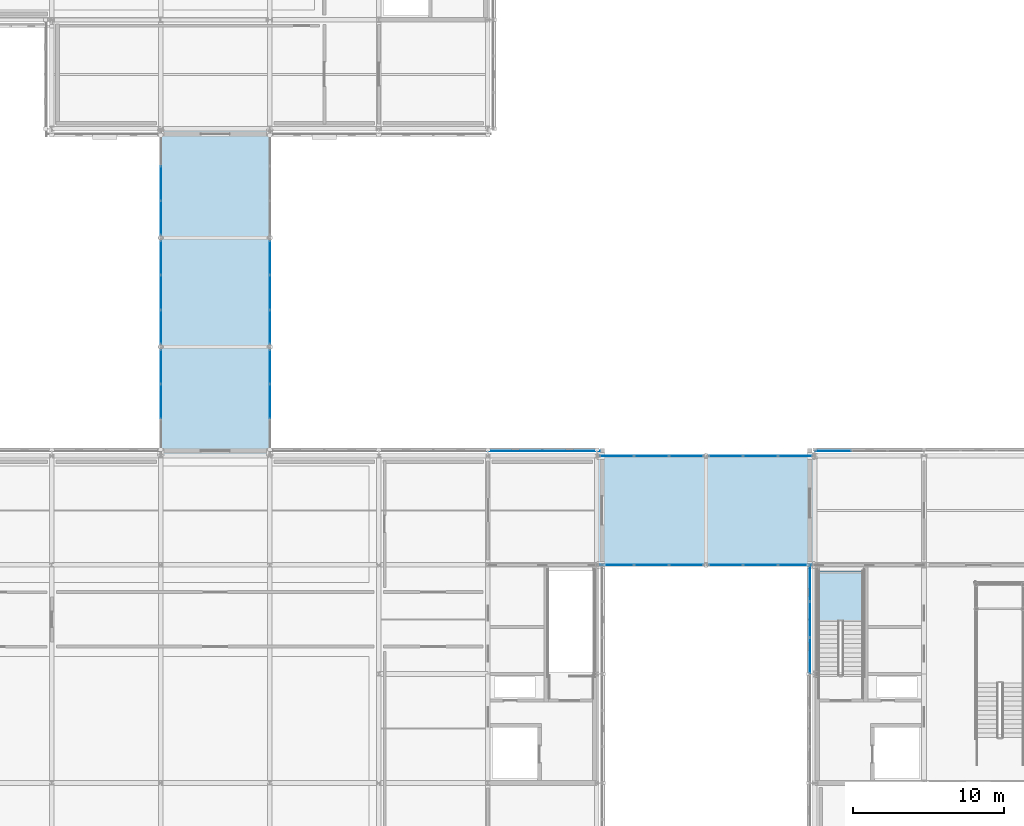
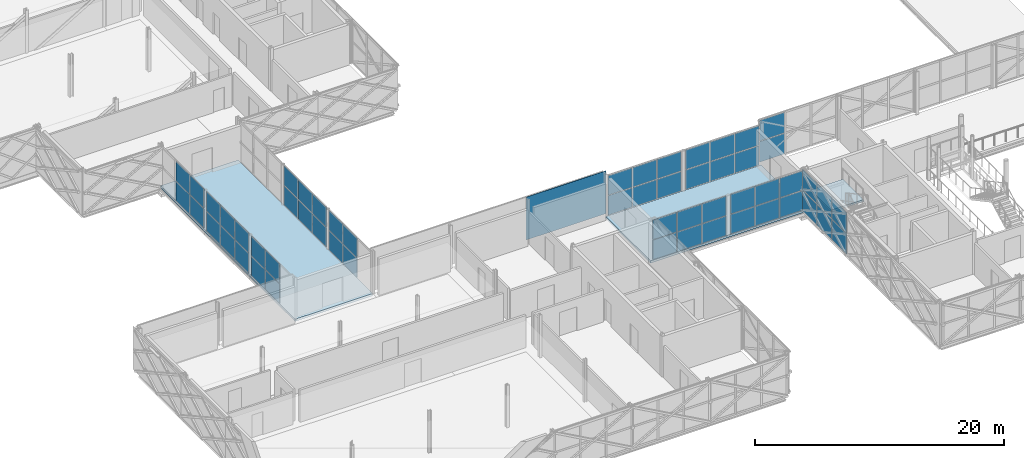
# One storey, part 75 of 126: 57 plates, 3 slabs, 12 elements without a shape of their own.
"""IFC4 building model written with IfcOpenShell, lengths in metres."""

import ifcopenshell
import ifcopenshell.guid

model = None  # the IFC model being written
_history = None  # IfcOwnerHistory: only IFC2X3 demands one
_inside = {}  # id of a spatial element -> (the spatial element, [elements in it])
_under = {}  # id of a project, library or spatial element -> (it, [spatial elements below it])
_declared = {}  # id of a project -> (the project, [libraries it declares])
_typed = {}  # id of a type object -> (the type object, [elements of that type])
_made_of = {}  # id of a material, layer set ... -> (it, [elements and type objects made of it])


def new_model(schema):
    """Start an empty IFC model of exactly this schema.

    Asked for "IFC4X3", IfcOpenShell would pick the latest addendum, in which some entities
    have other attributes; the version numbers below select the first issue.
    IFC2X3 requires an IfcOwnerHistory on every rooted entity: one is made here for all.
    """
    global model, _history
    if schema == "IFC4X3":
        model = ifcopenshell.file(schema_version=(4, 3, 0, 0))
    else:
        model = ifcopenshell.file(schema=schema)
    _inside.clear()
    _under.clear()
    _declared.clear()
    _typed.clear()
    _made_of.clear()
    _history = None
    if model.schema == "IFC2X3":
        org = make("IfcOrganization", Name="unknown")
        user = make(
            "IfcPersonAndOrganization",
            ThePerson=make("IfcPerson", FamilyName="unknown"),
            TheOrganization=org,
        )
        app = make(
            "IfcApplication",
            ApplicationDeveloper=org,
            Version="unknown",
            ApplicationFullName="unknown",
            ApplicationIdentifier="unknown",
        )
        _history = make(
            "IfcOwnerHistory",
            OwningUser=user,
            OwningApplication=app,
            ChangeAction="ADDED",
            CreationDate=0,
        )
    return model


def make(cls, **values):
    """One entity of the class cls with the attributes given. An attribute that is None is left unset."""
    return model.create_entity(
        cls, **{name: value for name, value in values.items() if value is not None}
    )


def rooted(cls, **values):
    """An entity with a GlobalId (a new one), such as an element, a storey or a relation."""
    return make(cls, GlobalId=ifcopenshell.guid.new(), OwnerHistory=_history, **values)


def si_unit(unit_type, name, prefix=None):
    """IfcSIUnit, for example si_unit("LENGTHUNIT", "METRE", prefix="MILLI")."""
    return make("IfcSIUnit", UnitType=unit_type, Prefix=prefix, Name=name)


def assignment(units):
    """IfcUnitAssignment: the units of a project."""
    return None if units is None else make("IfcUnitAssignment", Units=units)


def point(xyz):
    """IfcCartesianPoint."""
    return None if xyz is None else make("IfcCartesianPoint", Coordinates=xyz)


def direction(xyz):
    """IfcDirection."""
    return None if xyz is None else make("IfcDirection", DirectionRatios=xyz)


def frame(location, z_axis=None, x_axis=None):
    """IfcAxis2Placement3D, a coordinate frame: its origin and axes. An axis left out is left unset."""
    return make(
        "IfcAxis2Placement3D",
        Location=point(location),
        Axis=direction(z_axis),
        RefDirection=direction(x_axis),
    )


def frame_2d(location, x_axis=None):
    """IfcAxis2Placement2D, a coordinate frame in the plane: its origin and x axis."""
    return make(
        "IfcAxis2Placement2D", Location=point(location), RefDirection=direction(x_axis)
    )


def origin():
    """The frame at (0, 0, 0) with its axes left unset."""
    return frame((0.0, 0.0, 0.0))


def origin_2d():
    """The frame at (0, 0) in the plane with its x axis left unset."""
    return frame_2d((0.0, 0.0))


def place(relative_to, where):
    """IfcLocalPlacement: puts the frame where relative to a parent placement (None: the world)."""
    return make(
        "IfcLocalPlacement", PlacementRelTo=relative_to, RelativePlacement=where
    )


def context(
    kind, dimensions, precision=None, world=None, true_north=None, identifier=None
):
    """IfcGeometricRepresentationContext, for example the 3D "Model" context."""
    return make(
        "IfcGeometricRepresentationContext",
        ContextIdentifier=identifier,
        ContextType=kind,
        CoordinateSpaceDimension=dimensions,
        Precision=precision,
        WorldCoordinateSystem=world,
        TrueNorth=true_north,
    )


def subcontext(parent, identifier, kind, view, scale=None):
    """IfcGeometricRepresentationSubContext, for example "Body" below "Model"."""
    return make(
        "IfcGeometricRepresentationSubContext",
        ContextIdentifier=identifier,
        ContextType=kind,
        ParentContext=parent,
        TargetScale=scale,
        TargetView=view,
    )


def project(units=None, contexts=None):
    """IfcProject with its units and contexts."""
    return rooted(
        "IfcProject",
        Name="project",
        RepresentationContexts=contexts,
        UnitsInContext=assignment(units),
    )


def spatial(cls, under=None, at=None, **own):
    """A site, building, storey or space (cls), placed at a placement, below another one or the project."""
    s = rooted(cls, ObjectPlacement=at, **own)
    if under is not None:
        _under.setdefault(under.id(), (under, []))[1].append(s)
    return s


def polyline(points):
    """IfcPolyline through the points."""
    return make("IfcPolyline", Points=[point(p) for p in points])


def profile(cls, at=None, kind="AREA", **sizes):
    """A parametric profile (cls). Its sizes go by their IFC names, for example OverallWidth=200.0."""
    return make(cls, ProfileType=kind, Position=at, **sizes)


def rectangle(**sizes):
    """IfcRectangleProfileDef."""
    return profile("IfcRectangleProfileDef", **sizes)


def outline(outer, holes=None, kind="AREA"):
    """IfcArbitraryClosedProfileDef: a profile drawn as a closed curve; with holes, ...WithVoids."""
    if holes is None:
        return make("IfcArbitraryClosedProfileDef", ProfileType=kind, OuterCurve=outer)
    return make(
        "IfcArbitraryProfileDefWithVoids",
        ProfileType=kind,
        OuterCurve=outer,
        InnerCurves=holes,
    )


def extrude(swept, where, along, depth):
    """IfcExtrudedAreaSolid: the profile swept, set in the frame where, extruded along a direction by depth."""
    return make(
        "IfcExtrudedAreaSolid",
        SweptArea=swept,
        Position=where,
        ExtrudedDirection=direction(along),
        Depth=depth,
    )


def shape(context_of_items, identifier, shape_type, items):
    """IfcShapeRepresentation: the items that make up one representation, for example the "Body"."""
    return make(
        "IfcShapeRepresentation",
        ContextOfItems=context_of_items,
        RepresentationIdentifier=identifier,
        RepresentationType=shape_type,
        Items=items,
    )


def material(Name=None, Category=None):
    """IfcMaterial."""
    return make("IfcMaterial", Name=Name, Category=Category)


def layer(
    of_material, thickness, ventilated=None, Name=None, Category=None, Priority=None
):
    """IfcMaterialLayer: one layer of a wall or slab, of a material (None: an air gap)."""
    return make(
        "IfcMaterialLayer",
        Material=of_material,
        LayerThickness=thickness,
        IsVentilated=ventilated,
        Name=Name,
        Category=Category,
        Priority=Priority,
    )


def layer_set(layers, Name=None):
    """IfcMaterialLayerSet."""
    return make("IfcMaterialLayerSet", MaterialLayers=layers, LayerSetName=Name)


def made_of(thing, what):
    """Note that an element or type object is made of a material, layer set ...; save() writes the relation."""
    if what is not None:
        _made_of.setdefault(what.id(), (what, []))[1].append(thing)
    return thing


def type_object(cls, material=None, **own):
    """A type object (cls), such as IfcWallType, which elements share."""
    return made_of(rooted(cls, **own), material)


def element(
    cls,
    number,
    at=None,
    inside=None,
    cuts=None,
    type_object=None,
    material=None,
    context=None,
    identifier="Body",
    shape_type=None,
    held_by="IfcProductDefinitionShape",
    body=None,
    shapes=None,
    **own,
):
    """One element of the class cls, such as IfcWall. Its Tag is "e" and its number.

    at: its placement. inside: the storey or other place that contains it. cuts: it is an
    opening in that element (IfcRelVoidsElement). A single representation is given by context,
    identifier, shape_type and body (its items); several are given by shapes. held_by: the class
    of the entity that holds the representations. save() writes the other relations.
    """
    e = rooted(cls, Tag="e%d" % number, ObjectPlacement=at, **own)
    if body is not None:
        shapes = [shape(context, identifier, shape_type, body)]
    if shapes is not None:
        e.Representation = make(held_by, Representations=shapes)
    if inside is not None:
        _inside.setdefault(inside.id(), (inside, []))[1].append(e)
    if cuts is not None:
        rooted(
            "IfcRelVoidsElement", RelatingBuildingElement=cuts, RelatedOpeningElement=e
        )
    if type_object is not None:
        _typed.setdefault(type_object.id(), (type_object, []))[1].append(e)
    return made_of(e, material)


def aggregate(whole, parts):
    """IfcRelAggregates: a whole, such as a stair, and the parts it consists of."""
    return rooted("IfcRelAggregates", RelatingObject=whole, RelatedObjects=parts)


def save(model, path):
    """Write the relations noted so far, then the file.

    IfcRelAggregates (storeys below a building ...), IfcRelContainedInSpatialStructure (elements
    in a storey), IfcRelDefinesByType, IfcRelAssociatesMaterial and IfcRelDeclares: one each for
    every whole, place, type object, material and project.
    """
    for whole, parts in _under.values():
        aggregate(whole, parts)
    for where, things in _inside.values():
        rooted(
            "IfcRelContainedInSpatialStructure",
            RelatedElements=things,
            RelatingStructure=where,
        )
    for kind, things in _typed.values():
        rooted("IfcRelDefinesByType", RelatedObjects=things, RelatingType=kind)
    for what, things in _made_of.values():
        rooted("IfcRelAssociatesMaterial", RelatedObjects=things, RelatingMaterial=what)
    for by, libraries in _declared.values():
        rooted("IfcRelDeclares", RelatingContext=by, RelatedDefinitions=libraries)
    model.write(path)


model = new_model("IFC4")

# Units and contexts
model_context = context("Model", 3, precision=1e-05, world=origin(), true_north=direction((0.0, 1.0)))
body_context = subcontext(model_context, "Body", "Model", "MODEL_VIEW")
ifc_project = project(units=[si_unit("LENGTHUNIT", "METRE"), si_unit("AREAUNIT", "SQUARE_METRE"), si_unit("VOLUMEUNIT", "CUBIC_METRE"), si_unit("PLANEANGLEUNIT", "RADIAN"), si_unit("MASSUNIT", "GRAM", prefix="KILO")], contexts=[model_context])

# Site, building, storey
site_placement = place(None, origin())
site = spatial("IfcSite", under=ifc_project, at=site_placement, CompositionType="ELEMENT")
building_placement = place(site_placement, origin())
building = spatial("IfcBuilding", under=site, at=building_placement, Name="Zlatovets Crest Museum", CompositionType="ELEMENT")
storey_placement = place(building_placement, frame((0.0, 0.0, 8.699951171875)))
storey = spatial("IfcBuildingStorey", under=building, at=storey_placement, Name="L02", CompositionType="ELEMENT", Elevation=8.699951171875)

# Curtain wall, plates
ifc_material_1 = material(Name="Bronze-anodised aluminium and low-E triple glass", Category="aluminium")
curtain_wall_type_1 = type_object("IfcCurtainWallType", Name="CW_CW-BR1-L02-S69", PredefinedType="NOTDEFINED", material=ifc_material_1)
curtain_wall_1_placement = place(storey_placement, origin())
curtain_wall_1 = element("IfcCurtainWall", 1, at=curtain_wall_1_placement, inside=storey, type_object=curtain_wall_type_1, Name="South Forecourt Glazed Link Bridge L02 Glazed Bridge Curtain Wall", PredefinedType="NOTDEFINED")
ifc_material_2 = material(Name="Solar-control low-E laminated triple glass", Category="glass")
ifc_layer_1 = layer(ifc_material_2, 0.030029296875)
ifc_layer_set_1 = layer_set([ifc_layer_1], Name="Solar-control low-E laminated triple glass")
plate_type_1 = type_object("IfcPlateType", Name="CWPanel_CW-BR1-L02-S69", PredefinedType="CURTAIN_PANEL", material=ifc_layer_set_1)
plate_1_placement = place(storey_placement, frame((44.514892578125, 21.60009765625, 0.06005859375), z_axis=(0.0, 0.0, 1.0), x_axis=(1.0, 0.0, 0.0)))
plate_1 = element("IfcPlate", 2, at=plate_1_placement, type_object=plate_type_1, Name="CW-BR1-L02-S69 panel 1.1", PredefinedType="CURTAIN_PANEL", context=body_context, shape_type="SweptSolid", body=[
    extrude(rectangle(XDim=2.2099609375, YDim=0.030029296875, at=origin_2d()), origin(), (0.0, 0.0, 1.0), 1.89990234375),
])
plate_2_placement = place(storey_placement, frame((44.514892578125, 21.60009765625, 2.02001953125), z_axis=(0.0, 0.0, 1.0), x_axis=(1.0, 0.0, 0.0)))
plate_2 = element("IfcPlate", 3, at=plate_2_placement, type_object=plate_type_1, Name="CW-BR1-L02-S69 panel 1.2", PredefinedType="CURTAIN_PANEL", context=body_context, shape_type="SweptSolid", body=[
    extrude(rectangle(XDim=2.2099609375, YDim=0.030029296875, at=origin_2d()), origin(), (0.0, 0.0, 1.0), 1.89990234375),
])
plate_3_placement = place(storey_placement, frame((46.800048828125, 21.60009765625, 0.06005859375), z_axis=(0.0, 0.0, 1.0), x_axis=(1.0, 0.0, 0.0)))
plate_3 = element("IfcPlate", 4, at=plate_3_placement, type_object=plate_type_1, Name="CW-BR1-L02-S69 panel 2.1", PredefinedType="CURTAIN_PANEL", context=body_context, shape_type="SweptSolid", body=[
    extrude(rectangle(XDim=2.239990234375, YDim=0.030029296875, at=origin_2d()), origin(), (0.0, 0.0, 1.0), 1.89990234375),
])
plate_4_placement = place(storey_placement, frame((46.800048828125, 21.60009765625, 2.02001953125), z_axis=(0.0, 0.0, 1.0), x_axis=(1.0, 0.0, 0.0)))
plate_4 = element("IfcPlate", 5, at=plate_4_placement, type_object=plate_type_1, Name="CW-BR1-L02-S69 panel 2.2", PredefinedType="CURTAIN_PANEL", context=body_context, shape_type="SweptSolid", body=[
    extrude(rectangle(XDim=2.239990234375, YDim=0.030029296875, at=origin_2d()), origin(), (0.0, 0.0, 1.0), 1.89990234375),
])
plate_5_placement = place(storey_placement, frame((49.0849609375, 21.60009765625, 0.06005859375), z_axis=(0.0, 0.0, 1.0), x_axis=(1.0, 0.0, 0.0)))
plate_5 = element("IfcPlate", 6, at=plate_5_placement, type_object=plate_type_1, Name="CW-BR1-L02-S69 panel 3.1", PredefinedType="CURTAIN_PANEL", context=body_context, shape_type="SweptSolid", body=[
    extrude(rectangle(XDim=2.2099609375, YDim=0.030029296875, at=origin_2d()), origin(), (0.0, 0.0, 1.0), 1.89990234375),
])
plate_6_placement = place(storey_placement, frame((49.0849609375, 21.60009765625, 2.02001953125), z_axis=(0.0, 0.0, 1.0), x_axis=(1.0, 0.0, 0.0)))
plate_6 = element("IfcPlate", 7, at=plate_6_placement, type_object=plate_type_1, Name="CW-BR1-L02-S69 panel 3.2", PredefinedType="CURTAIN_PANEL", context=body_context, shape_type="SweptSolid", body=[
    extrude(rectangle(XDim=2.2099609375, YDim=0.030029296875, at=origin_2d()), origin(), (0.0, 0.0, 1.0), 1.89990234375),
])
aggregate(curtain_wall_1, [plate_1, plate_2, plate_3, plate_4, plate_5, plate_6])

curtain_wall_2_placement = place(storey_placement, origin())
curtain_wall_2 = element("IfcCurtainWall", 8, at=curtain_wall_2_placement, inside=storey, type_object=curtain_wall_type_1, Name="South Forecourt Glazed Link Bridge L02 Glazed Bridge Curtain Wall", PredefinedType="NOTDEFINED")
plate_7_placement = place(storey_placement, frame((51.715087890625, 21.60009765625, 0.06005859375), z_axis=(0.0, 0.0, 1.0), x_axis=(1.0, 0.0, 0.0)))
plate_7 = element("IfcPlate", 9, at=plate_7_placement, type_object=plate_type_1, Name="CW-BR1-L02-S69 panel 1.1", PredefinedType="CURTAIN_PANEL", context=body_context, shape_type="SweptSolid", body=[
    extrude(rectangle(XDim=2.2099609375, YDim=0.030029296875, at=origin_2d()), origin(), (0.0, 0.0, 1.0), 1.89990234375),
])
plate_8_placement = place(storey_placement, frame((51.715087890625, 21.60009765625, 2.02001953125), z_axis=(0.0, 0.0, 1.0), x_axis=(1.0, 0.0, 0.0)))
plate_8 = element("IfcPlate", 10, at=plate_8_placement, type_object=plate_type_1, Name="CW-BR1-L02-S69 panel 1.2", PredefinedType="CURTAIN_PANEL", context=body_context, shape_type="SweptSolid", body=[
    extrude(rectangle(XDim=2.2099609375, YDim=0.030029296875, at=origin_2d()), origin(), (0.0, 0.0, 1.0), 1.89990234375),
])
plate_9_placement = place(storey_placement, frame((54.0, 21.60009765625, 0.06005859375), z_axis=(0.0, 0.0, 1.0), x_axis=(1.0, 0.0, 0.0)))
plate_9 = element("IfcPlate", 11, at=plate_9_placement, type_object=plate_type_1, Name="CW-BR1-L02-S69 panel 2.1", PredefinedType="CURTAIN_PANEL", context=body_context, shape_type="SweptSolid", body=[
    extrude(rectangle(XDim=2.239990234375, YDim=0.030029296875, at=origin_2d()), origin(), (0.0, 0.0, 1.0), 1.89990234375),
])
plate_10_placement = place(storey_placement, frame((54.0, 21.60009765625, 2.02001953125), z_axis=(0.0, 0.0, 1.0), x_axis=(1.0, 0.0, 0.0)))
plate_10 = element("IfcPlate", 12, at=plate_10_placement, type_object=plate_type_1, Name="CW-BR1-L02-S69 panel 2.2", PredefinedType="CURTAIN_PANEL", context=body_context, shape_type="SweptSolid", body=[
    extrude(rectangle(XDim=2.239990234375, YDim=0.030029296875, at=origin_2d()), origin(), (0.0, 0.0, 1.0), 1.89990234375),
])
plate_11_placement = place(storey_placement, frame((56.284912109375, 21.60009765625, 0.06005859375), z_axis=(0.0, 0.0, 1.0), x_axis=(1.0, 0.0, 0.0)))
plate_11 = element("IfcPlate", 13, at=plate_11_placement, type_object=plate_type_1, Name="CW-BR1-L02-S69 panel 3.1", PredefinedType="CURTAIN_PANEL", context=body_context, shape_type="SweptSolid", body=[
    extrude(rectangle(XDim=2.2099609375, YDim=0.030029296875, at=origin_2d()), origin(), (0.0, 0.0, 1.0), 1.89990234375),
])
plate_12_placement = place(storey_placement, frame((56.284912109375, 21.60009765625, 2.02001953125), z_axis=(0.0, 0.0, 1.0), x_axis=(1.0, 0.0, 0.0)))
plate_12 = element("IfcPlate", 14, at=plate_12_placement, type_object=plate_type_1, Name="CW-BR1-L02-S69 panel 3.2", PredefinedType="CURTAIN_PANEL", context=body_context, shape_type="SweptSolid", body=[
    extrude(rectangle(XDim=2.2099609375, YDim=0.030029296875, at=origin_2d()), origin(), (0.0, 0.0, 1.0), 1.89990234375),
])
aggregate(curtain_wall_2, [plate_7, plate_8, plate_9, plate_10, plate_11, plate_12])

curtain_wall_3_placement = place(storey_placement, origin())
curtain_wall_3 = element("IfcCurtainWall", 15, at=curtain_wall_3_placement, inside=storey, type_object=curtain_wall_type_1, Name="South Forecourt Glazed Link Bridge L02 Glazed Bridge Curtain Wall", PredefinedType="NOTDEFINED")
plate_13_placement = place(storey_placement, frame((44.514892578125, 28.800048828125, 0.06005859375), z_axis=(0.0, 0.0, 1.0), x_axis=(1.0, 0.0, 0.0)))
plate_13 = element("IfcPlate", 16, at=plate_13_placement, type_object=plate_type_1, Name="CW-BR1-L02-S69 panel 1.1", PredefinedType="CURTAIN_PANEL", context=body_context, shape_type="SweptSolid", body=[
    extrude(rectangle(XDim=2.2099609375, YDim=0.030029296875, at=origin_2d()), origin(), (0.0, 0.0, 1.0), 1.89990234375),
])
plate_14_placement = place(storey_placement, frame((44.514892578125, 28.800048828125, 2.02001953125), z_axis=(0.0, 0.0, 1.0), x_axis=(1.0, 0.0, 0.0)))
plate_14 = element("IfcPlate", 17, at=plate_14_placement, type_object=plate_type_1, Name="CW-BR1-L02-S69 panel 1.2", PredefinedType="CURTAIN_PANEL", context=body_context, shape_type="SweptSolid", body=[
    extrude(rectangle(XDim=2.2099609375, YDim=0.030029296875, at=origin_2d()), origin(), (0.0, 0.0, 1.0), 1.89990234375),
])
plate_15_placement = place(storey_placement, frame((46.800048828125, 28.800048828125, 0.06005859375), z_axis=(0.0, 0.0, 1.0), x_axis=(1.0, 0.0, 0.0)))
plate_15 = element("IfcPlate", 18, at=plate_15_placement, type_object=plate_type_1, Name="CW-BR1-L02-S69 panel 2.1", PredefinedType="CURTAIN_PANEL", context=body_context, shape_type="SweptSolid", body=[
    extrude(rectangle(XDim=2.239990234375, YDim=0.030029296875, at=origin_2d()), origin(), (0.0, 0.0, 1.0), 1.89990234375),
])
plate_16_placement = place(storey_placement, frame((46.800048828125, 28.800048828125, 2.02001953125), z_axis=(0.0, 0.0, 1.0), x_axis=(1.0, 0.0, 0.0)))
plate_16 = element("IfcPlate", 19, at=plate_16_placement, type_object=plate_type_1, Name="CW-BR1-L02-S69 panel 2.2", PredefinedType="CURTAIN_PANEL", context=body_context, shape_type="SweptSolid", body=[
    extrude(rectangle(XDim=2.239990234375, YDim=0.030029296875, at=origin_2d()), origin(), (0.0, 0.0, 1.0), 1.89990234375),
])
plate_17_placement = place(storey_placement, frame((49.0849609375, 28.800048828125, 0.06005859375), z_axis=(0.0, 0.0, 1.0), x_axis=(1.0, 0.0, 0.0)))
plate_17 = element("IfcPlate", 20, at=plate_17_placement, type_object=plate_type_1, Name="CW-BR1-L02-S69 panel 3.1", PredefinedType="CURTAIN_PANEL", context=body_context, shape_type="SweptSolid", body=[
    extrude(rectangle(XDim=2.2099609375, YDim=0.030029296875, at=origin_2d()), origin(), (0.0, 0.0, 1.0), 1.89990234375),
])
plate_18_placement = place(storey_placement, frame((49.0849609375, 28.800048828125, 2.02001953125), z_axis=(0.0, 0.0, 1.0), x_axis=(1.0, 0.0, 0.0)))
plate_18 = element("IfcPlate", 21, at=plate_18_placement, type_object=plate_type_1, Name="CW-BR1-L02-S69 panel 3.2", PredefinedType="CURTAIN_PANEL", context=body_context, shape_type="SweptSolid", body=[
    extrude(rectangle(XDim=2.2099609375, YDim=0.030029296875, at=origin_2d()), origin(), (0.0, 0.0, 1.0), 1.89990234375),
])
aggregate(curtain_wall_3, [plate_13, plate_14, plate_15, plate_16, plate_17, plate_18])

curtain_wall_4_placement = place(storey_placement, origin())
curtain_wall_4 = element("IfcCurtainWall", 22, at=curtain_wall_4_placement, inside=storey, type_object=curtain_wall_type_1, Name="South Forecourt Glazed Link Bridge L02 Glazed Bridge Curtain Wall", PredefinedType="NOTDEFINED")
plate_19_placement = place(storey_placement, frame((51.715087890625, 28.800048828125, 0.06005859375), z_axis=(0.0, 0.0, 1.0), x_axis=(1.0, 0.0, 0.0)))
plate_19 = element("IfcPlate", 23, at=plate_19_placement, type_object=plate_type_1, Name="CW-BR1-L02-S69 panel 1.1", PredefinedType="CURTAIN_PANEL", context=body_context, shape_type="SweptSolid", body=[
    extrude(rectangle(XDim=2.2099609375, YDim=0.030029296875, at=origin_2d()), origin(), (0.0, 0.0, 1.0), 1.89990234375),
])
plate_20_placement = place(storey_placement, frame((51.715087890625, 28.800048828125, 2.02001953125), z_axis=(0.0, 0.0, 1.0), x_axis=(1.0, 0.0, 0.0)))
plate_20 = element("IfcPlate", 24, at=plate_20_placement, type_object=plate_type_1, Name="CW-BR1-L02-S69 panel 1.2", PredefinedType="CURTAIN_PANEL", context=body_context, shape_type="SweptSolid", body=[
    extrude(rectangle(XDim=2.2099609375, YDim=0.030029296875, at=origin_2d()), origin(), (0.0, 0.0, 1.0), 1.89990234375),
])
plate_21_placement = place(storey_placement, frame((54.0, 28.800048828125, 0.06005859375), z_axis=(0.0, 0.0, 1.0), x_axis=(1.0, 0.0, 0.0)))
plate_21 = element("IfcPlate", 25, at=plate_21_placement, type_object=plate_type_1, Name="CW-BR1-L02-S69 panel 2.1", PredefinedType="CURTAIN_PANEL", context=body_context, shape_type="SweptSolid", body=[
    extrude(rectangle(XDim=2.239990234375, YDim=0.030029296875, at=origin_2d()), origin(), (0.0, 0.0, 1.0), 1.89990234375),
])
plate_22_placement = place(storey_placement, frame((54.0, 28.800048828125, 2.02001953125), z_axis=(0.0, 0.0, 1.0), x_axis=(1.0, 0.0, 0.0)))
plate_22 = element("IfcPlate", 26, at=plate_22_placement, type_object=plate_type_1, Name="CW-BR1-L02-S69 panel 2.2", PredefinedType="CURTAIN_PANEL", context=body_context, shape_type="SweptSolid", body=[
    extrude(rectangle(XDim=2.239990234375, YDim=0.030029296875, at=origin_2d()), origin(), (0.0, 0.0, 1.0), 1.89990234375),
])
plate_23_placement = place(storey_placement, frame((56.284912109375, 28.800048828125, 0.06005859375), z_axis=(0.0, 0.0, 1.0), x_axis=(1.0, 0.0, 0.0)))
plate_23 = element("IfcPlate", 27, at=plate_23_placement, type_object=plate_type_1, Name="CW-BR1-L02-S69 panel 3.1", PredefinedType="CURTAIN_PANEL", context=body_context, shape_type="SweptSolid", body=[
    extrude(rectangle(XDim=2.2099609375, YDim=0.030029296875, at=origin_2d()), origin(), (0.0, 0.0, 1.0), 1.89990234375),
])
plate_24_placement = place(storey_placement, frame((56.284912109375, 28.800048828125, 2.02001953125), z_axis=(0.0, 0.0, 1.0), x_axis=(1.0, 0.0, 0.0)))
plate_24 = element("IfcPlate", 28, at=plate_24_placement, type_object=plate_type_1, Name="CW-BR1-L02-S69 panel 3.2", PredefinedType="CURTAIN_PANEL", context=body_context, shape_type="SweptSolid", body=[
    extrude(rectangle(XDim=2.2099609375, YDim=0.030029296875, at=origin_2d()), origin(), (0.0, 0.0, 1.0), 1.89990234375),
])
aggregate(curtain_wall_4, [plate_19, plate_20, plate_21, plate_22, plate_23, plate_24])

curtain_wall_type_2 = type_object("IfcCurtainWallType", Name="CW_CW-BR2-L02-S69", PredefinedType="NOTDEFINED", material=ifc_material_1)
curtain_wall_5_placement = place(storey_placement, origin())
curtain_wall_5 = element("IfcCurtainWall", 29, at=curtain_wall_5_placement, inside=storey, type_object=curtain_wall_type_2, Name="West Hillside Glazed Link Bridge L02 Glazed Bridge Curtain Wall", PredefinedType="NOTDEFINED")
ifc_layer_2 = layer(ifc_material_2, 0.030029296875)
ifc_layer_set_2 = layer_set([ifc_layer_2], Name="Solar-control low-E laminated triple glass")
plate_type_2 = type_object("IfcPlateType", Name="CWPanel_CW-BR2-L02-S69", PredefinedType="CURTAIN_PANEL", material=ifc_layer_set_2)
plate_25_placement = place(storey_placement, frame((14.39990234375, 32.39990234375, 0.06005859375), z_axis=(0.0, 0.0, 1.0), x_axis=(0.0, 1.0, 0.0)))
plate_25 = element("IfcPlate", 30, at=plate_25_placement, type_object=plate_type_2, Name="CW-BR2-L02-S69 panel 2.1", PredefinedType="CURTAIN_PANEL", context=body_context, shape_type="SweptSolid", body=[
    extrude(rectangle(XDim=2.239990234375, YDim=0.030029296875, at=origin_2d()), origin(), (0.0, 0.0, 1.0), 1.89990234375),
])
plate_26_placement = place(storey_placement, frame((14.39990234375, 32.39990234375, 2.02001953125), z_axis=(0.0, 0.0, 1.0), x_axis=(0.0, 1.0, 0.0)))
plate_26 = element("IfcPlate", 31, at=plate_26_placement, type_object=plate_type_2, Name="CW-BR2-L02-S69 panel 2.2", PredefinedType="CURTAIN_PANEL", context=body_context, shape_type="SweptSolid", body=[
    extrude(rectangle(XDim=2.239990234375, YDim=0.030029296875, at=origin_2d()), origin(), (0.0, 0.0, 1.0), 1.89990234375),
])
plate_27_placement = place(storey_placement, frame((14.39990234375, 34.68505859375, 0.06005859375), z_axis=(0.0, 0.0, 1.0), x_axis=(0.0, 1.0, 0.0)))
plate_27 = element("IfcPlate", 32, at=plate_27_placement, type_object=plate_type_2, Name="CW-BR2-L02-S69 panel 3.1", PredefinedType="CURTAIN_PANEL", context=body_context, shape_type="SweptSolid", body=[
    extrude(rectangle(XDim=2.2099609375, YDim=0.030029296875, at=origin_2d()), origin(), (0.0, 0.0, 1.0), 1.89990234375),
])
plate_28_placement = place(storey_placement, frame((14.39990234375, 34.68505859375, 2.02001953125), z_axis=(0.0, 0.0, 1.0), x_axis=(0.0, 1.0, 0.0)))
plate_28 = element("IfcPlate", 33, at=plate_28_placement, type_object=plate_type_2, Name="CW-BR2-L02-S69 panel 3.2", PredefinedType="CURTAIN_PANEL", context=body_context, shape_type="SweptSolid", body=[
    extrude(rectangle(XDim=2.2099609375, YDim=0.030029296875, at=origin_2d()), origin(), (0.0, 0.0, 1.0), 1.89990234375),
])
aggregate(curtain_wall_5, [plate_25, plate_26, plate_27, plate_28])

curtain_wall_6_placement = place(storey_placement, origin())
curtain_wall_6 = element("IfcCurtainWall", 34, at=curtain_wall_6_placement, inside=storey, type_object=curtain_wall_type_2, Name="West Hillside Glazed Link Bridge L02 Glazed Bridge Curtain Wall", PredefinedType="NOTDEFINED")
plate_29_placement = place(storey_placement, frame((14.39990234375, 37.31494140625, 0.06005859375), z_axis=(0.0, 0.0, 1.0), x_axis=(0.0, 1.0, 0.0)))
plate_29 = element("IfcPlate", 35, at=plate_29_placement, type_object=plate_type_2, Name="CW-BR2-L02-S69 panel 1.1", PredefinedType="CURTAIN_PANEL", context=body_context, shape_type="SweptSolid", body=[
    extrude(rectangle(XDim=2.2099609375, YDim=0.030029296875, at=origin_2d()), origin(), (0.0, 0.0, 1.0), 1.89990234375),
])
plate_30_placement = place(storey_placement, frame((14.39990234375, 37.31494140625, 2.02001953125), z_axis=(0.0, 0.0, 1.0), x_axis=(0.0, 1.0, 0.0)))
plate_30 = element("IfcPlate", 36, at=plate_30_placement, type_object=plate_type_2, Name="CW-BR2-L02-S69 panel 1.2", PredefinedType="CURTAIN_PANEL", context=body_context, shape_type="SweptSolid", body=[
    extrude(rectangle(XDim=2.2099609375, YDim=0.030029296875, at=origin_2d()), origin(), (0.0, 0.0, 1.0), 1.89990234375),
])
plate_31_placement = place(storey_placement, frame((14.39990234375, 39.60009765625, 0.06005859375), z_axis=(0.0, 0.0, 1.0), x_axis=(0.0, 1.0, 0.0)))
plate_31 = element("IfcPlate", 37, at=plate_31_placement, type_object=plate_type_2, Name="CW-BR2-L02-S69 panel 2.1", PredefinedType="CURTAIN_PANEL", context=body_context, shape_type="SweptSolid", body=[
    extrude(rectangle(XDim=2.239990234375, YDim=0.030029296875, at=origin_2d()), origin(), (0.0, 0.0, 1.0), 1.89990234375),
])
plate_32_placement = place(storey_placement, frame((14.39990234375, 39.60009765625, 2.02001953125), z_axis=(0.0, 0.0, 1.0), x_axis=(0.0, 1.0, 0.0)))
plate_32 = element("IfcPlate", 38, at=plate_32_placement, type_object=plate_type_2, Name="CW-BR2-L02-S69 panel 2.2", PredefinedType="CURTAIN_PANEL", context=body_context, shape_type="SweptSolid", body=[
    extrude(rectangle(XDim=2.239990234375, YDim=0.030029296875, at=origin_2d()), origin(), (0.0, 0.0, 1.0), 1.89990234375),
])
plate_33_placement = place(storey_placement, frame((14.39990234375, 41.885009765625, 0.06005859375), z_axis=(0.0, 0.0, 1.0), x_axis=(0.0, 1.0, 0.0)))
plate_33 = element("IfcPlate", 39, at=plate_33_placement, type_object=plate_type_2, Name="CW-BR2-L02-S69 panel 3.1", PredefinedType="CURTAIN_PANEL", context=body_context, shape_type="SweptSolid", body=[
    extrude(rectangle(XDim=2.2099609375, YDim=0.030029296875, at=origin_2d()), origin(), (0.0, 0.0, 1.0), 1.89990234375),
])
plate_34_placement = place(storey_placement, frame((14.39990234375, 41.885009765625, 2.02001953125), z_axis=(0.0, 0.0, 1.0), x_axis=(0.0, 1.0, 0.0)))
plate_34 = element("IfcPlate", 40, at=plate_34_placement, type_object=plate_type_2, Name="CW-BR2-L02-S69 panel 3.2", PredefinedType="CURTAIN_PANEL", context=body_context, shape_type="SweptSolid", body=[
    extrude(rectangle(XDim=2.2099609375, YDim=0.030029296875, at=origin_2d()), origin(), (0.0, 0.0, 1.0), 1.89990234375),
])
aggregate(curtain_wall_6, [plate_29, plate_30, plate_31, plate_32, plate_33, plate_34])

curtain_wall_7_placement = place(storey_placement, origin())
curtain_wall_7 = element("IfcCurtainWall", 41, at=curtain_wall_7_placement, inside=storey, type_object=curtain_wall_type_2, Name="West Hillside Glazed Link Bridge L02 Glazed Bridge Curtain Wall", PredefinedType="NOTDEFINED")
plate_35_placement = place(storey_placement, frame((14.39990234375, 44.514892578125, 0.06005859375), z_axis=(0.0, 0.0, 1.0), x_axis=(0.0, 1.0, 0.0)))
plate_35 = element("IfcPlate", 42, at=plate_35_placement, type_object=plate_type_2, Name="CW-BR2-L02-S69 panel 1.1", PredefinedType="CURTAIN_PANEL", context=body_context, shape_type="SweptSolid", body=[
    extrude(rectangle(XDim=2.2099609375, YDim=0.030029296875, at=origin_2d()), origin(), (0.0, 0.0, 1.0), 1.89990234375),
])
plate_36_placement = place(storey_placement, frame((14.39990234375, 44.514892578125, 2.02001953125), z_axis=(0.0, 0.0, 1.0), x_axis=(0.0, 1.0, 0.0)))
plate_36 = element("IfcPlate", 43, at=plate_36_placement, type_object=plate_type_2, Name="CW-BR2-L02-S69 panel 1.2", PredefinedType="CURTAIN_PANEL", context=body_context, shape_type="SweptSolid", body=[
    extrude(rectangle(XDim=2.2099609375, YDim=0.030029296875, at=origin_2d()), origin(), (0.0, 0.0, 1.0), 1.89990234375),
])
plate_37_placement = place(storey_placement, frame((14.39990234375, 46.800048828125, 0.06005859375), z_axis=(0.0, 0.0, 1.0), x_axis=(0.0, 1.0, 0.0)))
plate_37 = element("IfcPlate", 44, at=plate_37_placement, type_object=plate_type_2, Name="CW-BR2-L02-S69 panel 2.1", PredefinedType="CURTAIN_PANEL", context=body_context, shape_type="SweptSolid", body=[
    extrude(rectangle(XDim=2.239990234375, YDim=0.030029296875, at=origin_2d()), origin(), (0.0, 0.0, 1.0), 1.89990234375),
])
plate_38_placement = place(storey_placement, frame((14.39990234375, 46.800048828125, 2.02001953125), z_axis=(0.0, 0.0, 1.0), x_axis=(0.0, 1.0, 0.0)))
plate_38 = element("IfcPlate", 45, at=plate_38_placement, type_object=plate_type_2, Name="CW-BR2-L02-S69 panel 2.2", PredefinedType="CURTAIN_PANEL", context=body_context, shape_type="SweptSolid", body=[
    extrude(rectangle(XDim=2.239990234375, YDim=0.030029296875, at=origin_2d()), origin(), (0.0, 0.0, 1.0), 1.89990234375),
])
aggregate(curtain_wall_7, [plate_35, plate_36, plate_37, plate_38])

curtain_wall_8_placement = place(storey_placement, origin())
curtain_wall_8 = element("IfcCurtainWall", 46, at=curtain_wall_8_placement, inside=storey, type_object=curtain_wall_type_2, Name="West Hillside Glazed Link Bridge L02 Glazed Bridge Curtain Wall", PredefinedType="NOTDEFINED")
plate_39_placement = place(storey_placement, frame((21.60009765625, 32.39990234375, 0.06005859375), z_axis=(0.0, 0.0, 1.0), x_axis=(0.0, 1.0, 0.0)))
plate_39 = element("IfcPlate", 47, at=plate_39_placement, type_object=plate_type_2, Name="CW-BR2-L02-S69 panel 2.1", PredefinedType="CURTAIN_PANEL", context=body_context, shape_type="SweptSolid", body=[
    extrude(rectangle(XDim=2.239990234375, YDim=0.030029296875, at=origin_2d()), origin(), (0.0, 0.0, 1.0), 1.89990234375),
])
plate_40_placement = place(storey_placement, frame((21.60009765625, 32.39990234375, 2.02001953125), z_axis=(0.0, 0.0, 1.0), x_axis=(0.0, 1.0, 0.0)))
plate_40 = element("IfcPlate", 48, at=plate_40_placement, type_object=plate_type_2, Name="CW-BR2-L02-S69 panel 2.2", PredefinedType="CURTAIN_PANEL", context=body_context, shape_type="SweptSolid", body=[
    extrude(rectangle(XDim=2.239990234375, YDim=0.030029296875, at=origin_2d()), origin(), (0.0, 0.0, 1.0), 1.89990234375),
])
plate_41_placement = place(storey_placement, frame((21.60009765625, 34.68505859375, 0.06005859375), z_axis=(0.0, 0.0, 1.0), x_axis=(0.0, 1.0, 0.0)))
plate_41 = element("IfcPlate", 49, at=plate_41_placement, type_object=plate_type_2, Name="CW-BR2-L02-S69 panel 3.1", PredefinedType="CURTAIN_PANEL", context=body_context, shape_type="SweptSolid", body=[
    extrude(rectangle(XDim=2.2099609375, YDim=0.030029296875, at=origin_2d()), origin(), (0.0, 0.0, 1.0), 1.89990234375),
])
plate_42_placement = place(storey_placement, frame((21.60009765625, 34.68505859375, 2.02001953125), z_axis=(0.0, 0.0, 1.0), x_axis=(0.0, 1.0, 0.0)))
plate_42 = element("IfcPlate", 50, at=plate_42_placement, type_object=plate_type_2, Name="CW-BR2-L02-S69 panel 3.2", PredefinedType="CURTAIN_PANEL", context=body_context, shape_type="SweptSolid", body=[
    extrude(rectangle(XDim=2.2099609375, YDim=0.030029296875, at=origin_2d()), origin(), (0.0, 0.0, 1.0), 1.89990234375),
])
aggregate(curtain_wall_8, [plate_39, plate_40, plate_41, plate_42])

curtain_wall_9_placement = place(storey_placement, origin())
curtain_wall_9 = element("IfcCurtainWall", 51, at=curtain_wall_9_placement, inside=storey, type_object=curtain_wall_type_2, Name="West Hillside Glazed Link Bridge L02 Glazed Bridge Curtain Wall", PredefinedType="NOTDEFINED")
plate_43_placement = place(storey_placement, frame((21.60009765625, 37.31494140625, 0.06005859375), z_axis=(0.0, 0.0, 1.0), x_axis=(0.0, 1.0, 0.0)))
plate_43 = element("IfcPlate", 52, at=plate_43_placement, type_object=plate_type_2, Name="CW-BR2-L02-S69 panel 1.1", PredefinedType="CURTAIN_PANEL", context=body_context, shape_type="SweptSolid", body=[
    extrude(rectangle(XDim=2.2099609375, YDim=0.030029296875, at=origin_2d()), origin(), (0.0, 0.0, 1.0), 1.89990234375),
])
plate_44_placement = place(storey_placement, frame((21.60009765625, 37.31494140625, 2.02001953125), z_axis=(0.0, 0.0, 1.0), x_axis=(0.0, 1.0, 0.0)))
plate_44 = element("IfcPlate", 53, at=plate_44_placement, type_object=plate_type_2, Name="CW-BR2-L02-S69 panel 1.2", PredefinedType="CURTAIN_PANEL", context=body_context, shape_type="SweptSolid", body=[
    extrude(rectangle(XDim=2.2099609375, YDim=0.030029296875, at=origin_2d()), origin(), (0.0, 0.0, 1.0), 1.89990234375),
])
plate_45_placement = place(storey_placement, frame((21.60009765625, 39.60009765625, 0.06005859375), z_axis=(0.0, 0.0, 1.0), x_axis=(0.0, 1.0, 0.0)))
plate_45 = element("IfcPlate", 54, at=plate_45_placement, type_object=plate_type_2, Name="CW-BR2-L02-S69 panel 2.1", PredefinedType="CURTAIN_PANEL", context=body_context, shape_type="SweptSolid", body=[
    extrude(rectangle(XDim=2.239990234375, YDim=0.030029296875, at=origin_2d()), origin(), (0.0, 0.0, 1.0), 1.89990234375),
])
plate_46_placement = place(storey_placement, frame((21.60009765625, 39.60009765625, 2.02001953125), z_axis=(0.0, 0.0, 1.0), x_axis=(0.0, 1.0, 0.0)))
plate_46 = element("IfcPlate", 55, at=plate_46_placement, type_object=plate_type_2, Name="CW-BR2-L02-S69 panel 2.2", PredefinedType="CURTAIN_PANEL", context=body_context, shape_type="SweptSolid", body=[
    extrude(rectangle(XDim=2.239990234375, YDim=0.030029296875, at=origin_2d()), origin(), (0.0, 0.0, 1.0), 1.89990234375),
])
plate_47_placement = place(storey_placement, frame((21.60009765625, 41.885009765625, 0.06005859375), z_axis=(0.0, 0.0, 1.0), x_axis=(0.0, 1.0, 0.0)))
plate_47 = element("IfcPlate", 56, at=plate_47_placement, type_object=plate_type_2, Name="CW-BR2-L02-S69 panel 3.1", PredefinedType="CURTAIN_PANEL", context=body_context, shape_type="SweptSolid", body=[
    extrude(rectangle(XDim=2.2099609375, YDim=0.030029296875, at=origin_2d()), origin(), (0.0, 0.0, 1.0), 1.89990234375),
])
plate_48_placement = place(storey_placement, frame((21.60009765625, 41.885009765625, 2.02001953125), z_axis=(0.0, 0.0, 1.0), x_axis=(0.0, 1.0, 0.0)))
plate_48 = element("IfcPlate", 57, at=plate_48_placement, type_object=plate_type_2, Name="CW-BR2-L02-S69 panel 3.2", PredefinedType="CURTAIN_PANEL", context=body_context, shape_type="SweptSolid", body=[
    extrude(rectangle(XDim=2.2099609375, YDim=0.030029296875, at=origin_2d()), origin(), (0.0, 0.0, 1.0), 1.89990234375),
])
aggregate(curtain_wall_9, [plate_43, plate_44, plate_45, plate_46, plate_47, plate_48])

curtain_wall_type_3 = type_object("IfcCurtainWallType", Name="CW_CW-V2-L02-M1", PredefinedType="NOTDEFINED", material=ifc_material_1)
curtain_wall_10_placement = place(storey_placement, origin())
curtain_wall_10 = element("IfcCurtainWall", 58, at=curtain_wall_10_placement, inside=storey, type_object=curtain_wall_type_3, Name="V2 L02 Secession Foyer Clear Curtain Wall", PredefinedType="NOTDEFINED")
ifc_layer_3 = layer(ifc_material_2, 0.031982421875)
ifc_layer_set_3 = layer_set([ifc_layer_3], Name="Solar-control low-E laminated triple glass")
plate_type_3 = type_object("IfcPlateType", Name="CWPanel_CW-V2-L02-M1", PredefinedType="CURTAIN_PANEL", material=ifc_layer_set_3)
plate_49_placement = place(storey_placement, frame((58.81494140625, 29.139892578125, 0.06005859375), z_axis=(0.0, 0.0, 1.0), x_axis=(-1.0, 0.0, 0.0)))
plate_49 = element("IfcPlate", 59, at=plate_49_placement, type_object=plate_type_3, Name="CW-V2-L02-M1 panel 3.1", PredefinedType="CURTAIN_PANEL", context=body_context, shape_type="SweptSolid", body=[
    extrude(rectangle(XDim=2.31005859375, YDim=0.031982421875, at=origin_2d()), origin(), (0.0, 0.0, 1.0), 2.010009765625),
])
plate_50_placement = place(storey_placement, frame((58.81494140625, 29.139892578125, 2.1298828125), z_axis=(0.0, 0.0, 1.0), x_axis=(-1.0, 0.0, 0.0)))
plate_50 = element("IfcPlate", 60, at=plate_50_placement, type_object=plate_type_3, Name="CW-V2-L02-M1 panel 3.2", PredefinedType="CURTAIN_PANEL", context=body_context, shape_type="SweptSolid", body=[
    extrude(rectangle(XDim=2.31005859375, YDim=0.031982421875, at=origin_2d()), origin(), (0.0, 0.0, 1.0), 2.010009765625),
])
aggregate(curtain_wall_10, [plate_49, plate_50])

curtain_wall_type_4 = type_object("IfcCurtainWallType", Name="CW_CW-V2-L02-M3", PredefinedType="NOTDEFINED", material=ifc_material_1)
curtain_wall_11_placement = place(storey_placement, origin())
curtain_wall_11 = element("IfcCurtainWall", 61, at=curtain_wall_11_placement, inside=storey, type_object=curtain_wall_type_4, Name="V2 L02 Expressed Core Glazed Facade", PredefinedType="NOTDEFINED")
ifc_layer_4 = layer(ifc_material_2, 0.0400390625)
ifc_layer_set_4 = layer_set([ifc_layer_4], Name="Solar-control low-E laminated triple glass")
plate_type_4 = type_object("IfcPlateType", Name="CWPanel_CW-V2-L02-M3", PredefinedType="CURTAIN_PANEL", material=ifc_layer_set_4)
plate_51_placement = place(storey_placement, frame((57.260009765625, 20.385009765625, 0.06005859375), z_axis=(0.0, 0.0, 1.0), x_axis=(0.0, -1.0, 0.0)))
plate_51 = element("IfcPlate", 62, at=plate_51_placement, type_object=plate_type_4, Name="CW-V2-L02-M3 panel 1.1", PredefinedType="CURTAIN_PANEL", context=body_context, shape_type="SweptSolid", body=[
    extrude(rectangle(XDim=2.31005859375, YDim=0.030029296875, at=origin_2d()), origin(), (0.0, 0.0, 1.0), 2.010009765625),
])
plate_52_placement = place(storey_placement, frame((57.260009765625, 20.385009765625, 2.1298828125), z_axis=(0.0, 0.0, 1.0), x_axis=(0.0, -1.0, 0.0)))
plate_52 = element("IfcPlate", 63, at=plate_52_placement, type_object=plate_type_4, Name="CW-V2-L02-M3 panel 1.2", PredefinedType="CURTAIN_PANEL", context=body_context, shape_type="SweptSolid", body=[
    extrude(rectangle(XDim=2.31005859375, YDim=0.030029296875, at=origin_2d()), origin(), (0.0, 0.0, 1.0), 2.010009765625),
])
plate_53_placement = place(storey_placement, frame((57.260009765625, 18.0, 0.06005859375), z_axis=(0.0, 0.0, 1.0), x_axis=(0.0, -1.0, 0.0)))
plate_53 = element("IfcPlate", 64, at=plate_53_placement, type_object=plate_type_4, Name="CW-V2-L02-M3 panel 2.1", PredefinedType="CURTAIN_PANEL", context=body_context, shape_type="SweptSolid", body=[
    extrude(rectangle(XDim=2.340087890625, YDim=0.030029296875, at=origin_2d()), origin(), (0.0, 0.0, 1.0), 2.010009765625),
])
plate_54_placement = place(storey_placement, frame((57.260009765625, 18.0, 2.1298828125), z_axis=(0.0, 0.0, 1.0), x_axis=(0.0, -1.0, 0.0)))
plate_54 = element("IfcPlate", 65, at=plate_54_placement, type_object=plate_type_4, Name="CW-V2-L02-M3 panel 2.2", PredefinedType="CURTAIN_PANEL", context=body_context, shape_type="SweptSolid", body=[
    extrude(rectangle(XDim=2.340087890625, YDim=0.030029296875, at=origin_2d()), origin(), (0.0, 0.0, 1.0), 2.010009765625),
])
plate_55_placement = place(storey_placement, frame((57.260009765625, 15.614990234375, 0.06005859375), z_axis=(0.0, 0.0, 1.0), x_axis=(0.0, -1.0, 0.0)))
plate_55 = element("IfcPlate", 66, at=plate_55_placement, type_object=plate_type_4, Name="CW-V2-L02-M3 panel 3.1", PredefinedType="CURTAIN_PANEL", context=body_context, shape_type="SweptSolid", body=[
    extrude(rectangle(XDim=2.31005859375, YDim=0.030029296875, at=origin_2d()), origin(), (0.0, 0.0, 1.0), 2.010009765625),
])
plate_56_placement = place(storey_placement, frame((57.260009765625, 15.614990234375, 2.1298828125), z_axis=(0.0, 0.0, 1.0), x_axis=(0.0, -1.0, 0.0)))
plate_56 = element("IfcPlate", 67, at=plate_56_placement, type_object=plate_type_4, Name="CW-V2-L02-M3 panel 3.2", PredefinedType="CURTAIN_PANEL", context=body_context, shape_type="SweptSolid", body=[
    extrude(rectangle(XDim=2.31005859375, YDim=0.030029296875, at=origin_2d()), origin(), (0.0, 0.0, 1.0), 2.010009765625),
])
aggregate(curtain_wall_11, [plate_51, plate_52, plate_53, plate_54, plate_55, plate_56])

# Plate
ifc_material_3 = material(Name="Ceramic-fritted low-E laminated architectural glass", Category="glass")
ifc_layer_5 = layer(ifc_material_3, 0.031982421875)
ifc_layer_set_5 = layer_set([ifc_layer_5], Name="Ceramic-fritted low-E laminated architectural glass")
plate_type_5 = type_object("IfcPlateType", Name="GlazedSpandrel_GSP1", PredefinedType="USERDEFINED", material=ifc_layer_set_5)
plate_57_placement = place(storey_placement, frame((39.699951171875, 29.139892578125, 0.0), z_axis=(0.0, 0.0, 1.0), x_axis=(1.0, 0.0, 0.0)))
element("IfcPlate", 68, at=plate_57_placement, inside=storey, type_object=plate_type_5, Name="V3 L02 Ceramic-Fritted Gallery Glass Skin", ObjectType="GLAZED_SPANDREL", PredefinedType="USERDEFINED", context=body_context, shape_type="SweptSolid", body=[
    extrude(rectangle(XDim=7.39990234375, YDim=0.031982421875, at=origin_2d()), origin(), (0.0, 0.0, 1.0), 4.199951171875),
])

# Slabs
ifc_material_4 = material(Name="Concrete C30/37", Category="concrete")
ifc_layer_6 = layer(ifc_material_4, 0.219970703125)
ifc_layer_set_6 = layer_set([ifc_layer_6], Name="Concrete C30/37")
slab_type_1 = type_object("IfcSlabType", Name="Slab_FS-02", PredefinedType="FLOOR", material=ifc_layer_set_6)
slab_1_placement = place(storey_placement, frame((0.0, 0.0, -0.219970703125)))
element("IfcSlab", 69, at=slab_1_placement, inside=storey, type_object=slab_type_1, Name="South Forecourt Glazed Link Bridge L02 Deck Slab", PredefinedType="FLOOR", context=body_context, shape_type="SweptSolid", body=[
    extrude(outline(polyline([(57.60009765625, 21.60009765625), (57.60009765625, 28.800048828125), (43.199951171875, 28.800048828125), (43.199951171875, 21.60009765625), (57.60009765625, 21.60009765625)])), origin(), (0.0, 0.0, 1.0), 0.219970703125),
])
slab_2_placement = place(storey_placement, frame((0.0, 0.0, -0.219970703125)))
element("IfcSlab", 70, at=slab_2_placement, inside=storey, type_object=slab_type_1, Name="West Hillside Glazed Link Bridge L02 Deck Slab", PredefinedType="FLOOR", context=body_context, shape_type="SweptSolid", body=[
    extrude(outline(polyline([(21.60009765625, 28.800048828125), (21.60009765625, 50.39990234375), (14.39990234375, 50.39990234375), (14.39990234375, 28.800048828125), (21.60009765625, 28.800048828125)])), origin(), (0.0, 0.0, 1.0), 0.219970703125),
])

# Stair, slab
ifc_material_5 = material(Name="Concrete C35/45", Category="concrete")
stair_type = type_object("IfcStairType", Name="Stair_ST2-26R", PredefinedType="HALF_TURN_STAIR", material=ifc_material_5)
stair_placement = place(storey_placement, origin())
stair = element("IfcStair", 71, at=stair_placement, inside=storey, type_object=stair_type, Name="L02 Core C2 Escape Stair ST2", PredefinedType="HALF_TURN_STAIR")
ifc_layer_7 = layer(ifc_material_5, 0.199951171875)
ifc_layer_set_7 = layer_set([ifc_layer_7], Name="Concrete C35/45")
slab_type_2 = type_object("IfcSlabType", Name="StairLanding_SLD1", PredefinedType="LANDING", material=ifc_layer_set_7)
slab_3_placement = place(storey_placement, frame((0.0, 0.0, 1.900146484375)))
slab_3 = element("IfcSlab", 72, at=slab_3_placement, type_object=slab_type_2, Name="ST2 landing 1", PredefinedType="LANDING", context=body_context, shape_type="SweptSolid", body=[
    extrude(outline(polyline([(60.800048828125, 17.89990234375), (60.800048828125, 21.199951171875), (57.800048828125, 21.199951171875), (57.800048828125, 17.89990234375), (60.800048828125, 17.89990234375)])), origin(), (0.0, 0.0, 1.0), 0.199951171875),
])
aggregate(stair, [slab_3])

save(model, "model.ifc")
